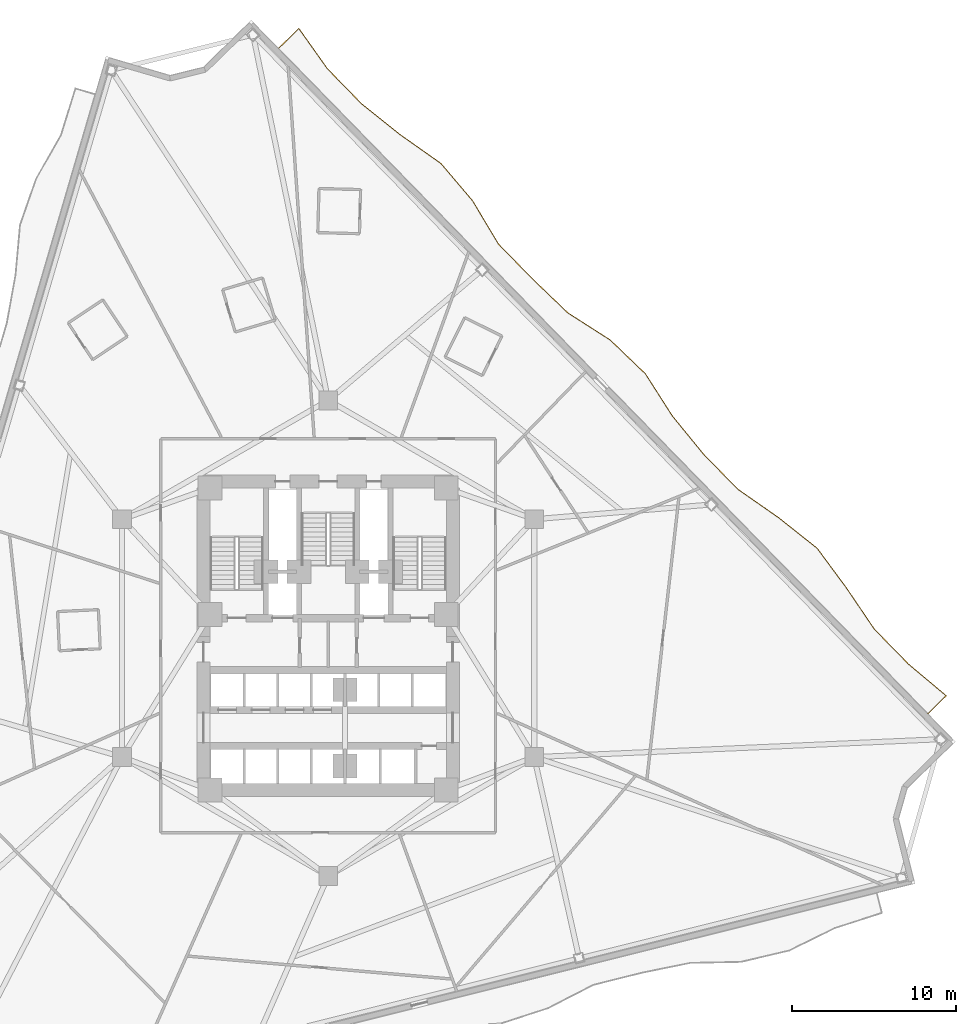
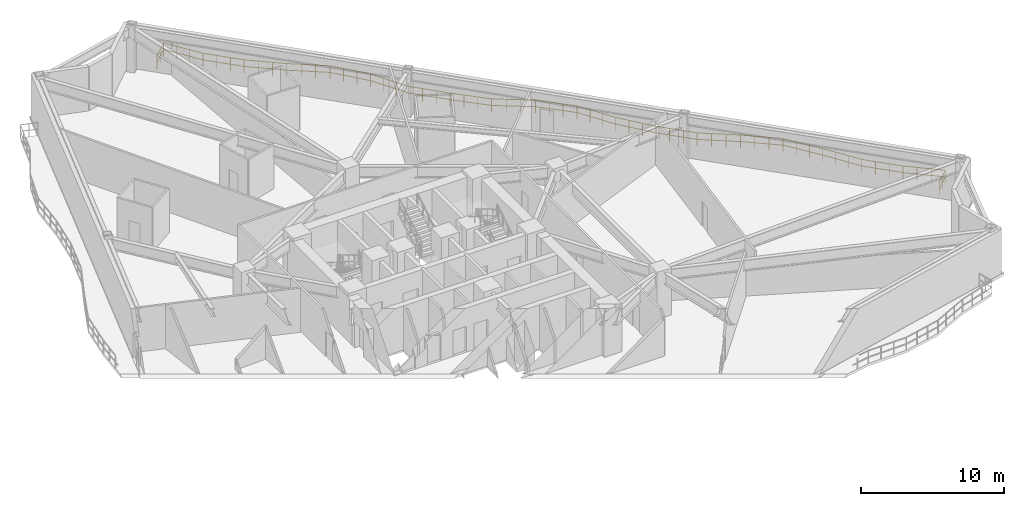
# One storey, part 10 of 10: 1 railing.
"""IFC4 building model written with IfcOpenShell, lengths in metres."""

from ifc_helpers import new_model, si_unit, direction, frame, origin, origin_2d, place, context, subcontext, project, spatial, rectangle, extrude, material, type_object, element, save


model = new_model("IFC4")

# Units and contexts
model_context = context("Model", 3, precision=1e-05, world=origin(), true_north=direction((0.0, 1.0)))
body_context = subcontext(model_context, "Body", "Model", "MODEL_VIEW")
ifc_project = project(units=[si_unit("LENGTHUNIT", "METRE"), si_unit("AREAUNIT", "SQUARE_METRE"), si_unit("VOLUMEUNIT", "CUBIC_METRE"), si_unit("PLANEANGLEUNIT", "RADIAN"), si_unit("MASSUNIT", "GRAM", prefix="KILO")], contexts=[model_context])

# Site, building, storey
site_placement = place(None, origin())
site = spatial("IfcSite", under=ifc_project, at=site_placement, CompositionType="ELEMENT")
building_placement = place(site_placement, origin())
building = spatial("IfcBuilding", under=site, at=building_placement, Name="Apsidion Concourse Tower", CompositionType="ELEMENT")
storey_placement = place(building_placement, frame((0.0, 0.0, 99.0)))
storey = spatial("IfcBuildingStorey", under=building, at=storey_placement, Name="L22", CompositionType="ELEMENT", Elevation=99.0)

# Railing
ifc_material = material(Name="Brushed stainless steel 316", Category="steel")
railing_type = type_object("IfcRailingType", Name="RL-BAL-1120", PredefinedType="BALUSTRADE", material=ifc_material)
railing_placement = place(storey_placement, frame((-3.018310546875, 35.96728515625, 0.0)))
element("IfcRailing", 1, at=railing_placement, inside=storey, type_object=railing_type, Name="L22 Face 3 Rippling Balcony Balustrade", PredefinedType="BALUSTRADE", context=body_context, shape_type="SweptSolid", body=[
    extrude(rectangle(XDim=0.048095703125, YDim=0.048095703125, at=origin_2d()), frame((0.0, 0.0, 1.09619140625), z_axis=(0.71564006925, 0.698469248631, 0.0), x_axis=(-0.698469248631, 0.71564006925, 0.0)), (0.0, 0.0, 1.0), 1.720458984375),
    extrude(rectangle(XDim=0.048095703125, YDim=0.048095703125, at=origin_2d()), frame((0.0, 0.0, 0.5361328125), z_axis=(0.71564006925, 0.698469248631, 0.0), x_axis=(-0.698469248631, 0.71564006925, 0.0)), (0.0, 0.0, 1.0), 1.720458984375),
    extrude(rectangle(XDim=0.048095703125, YDim=0.048095703125, at=origin_2d()), frame((1.231201171875, 1.20166015625, 1.09619140625), z_axis=(0.578481597133, -0.815695434448, 0.0), x_axis=(0.815695434448, 0.578481597133, 0.0)), (0.0, 0.0, 1.0), 3.019775390625),
    extrude(rectangle(XDim=0.048095703125, YDim=0.048095703125, at=origin_2d()), frame((1.231201171875, 1.20166015625, 0.5361328125), z_axis=(0.578481597133, -0.815695434448, 0.0), x_axis=(0.815695434448, 0.578481597133, 0.0)), (0.0, 0.0, 1.0), 3.019775390625),
    extrude(rectangle(XDim=0.048095703125, YDim=0.048095703125, at=origin_2d()), frame((2.97802734375, -1.261474609375, 1.09619140625), z_axis=(0.698460887015, -0.715648230145, 0.0), x_axis=(0.715648230145, 0.698460887015, 0.0)), (0.0, 0.0, 1.0), 2.98291015625),
    extrude(rectangle(XDim=0.048095703125, YDim=0.048095703125, at=origin_2d()), frame((2.97802734375, -1.261474609375, 0.5361328125), z_axis=(0.698460887015, -0.715648230145, 0.0), x_axis=(0.715648230145, 0.698460887015, 0.0)), (0.0, 0.0, 1.0), 2.98291015625),
    extrude(rectangle(XDim=0.048095703125, YDim=0.048095703125, at=origin_2d()), frame((5.0615234375, -3.396240234375, 1.09619140625), z_axis=(0.781169856736, -0.624318552446, 0.0), x_axis=(0.624318552446, 0.781169856736, 0.0)), (0.0, 0.0, 1.0), 3.005615234375),
    extrude(rectangle(XDim=0.048095703125, YDim=0.048095703125, at=origin_2d()), frame((5.0615234375, -3.396240234375, 0.5361328125), z_axis=(0.781169856736, -0.624318552446, 0.0), x_axis=(0.624318552446, 0.781169856736, 0.0)), (0.0, 0.0, 1.0), 3.005615234375),
    extrude(rectangle(XDim=0.048095703125, YDim=0.048095703125, at=origin_2d()), frame((7.409423828125, -5.272705078125, 1.09619140625), z_axis=(0.817204195929, -0.576348247291, 0.0), x_axis=(0.576348247291, 0.817204195929, 0.0)), (0.0, 0.0, 1.0), 3.033935546875),
    extrude(rectangle(XDim=0.048095703125, YDim=0.048095703125, at=origin_2d()), frame((7.409423828125, -5.272705078125, 0.5361328125), z_axis=(0.817204195929, -0.576348247291, 0.0), x_axis=(0.576348247291, 0.817204195929, 0.0)), (0.0, 0.0, 1.0), 3.033935546875),
    extrude(rectangle(XDim=0.048095703125, YDim=0.048095703125, at=origin_2d()), frame((9.888671875, -7.021240234375, 1.09619140625), z_axis=(0.647065195455, -0.762434674468, 0.0), x_axis=(0.762434674468, 0.647065195455, 0.0)), (0.0, 0.0, 1.0), 2.990234375),
    extrude(rectangle(XDim=0.048095703125, YDim=0.048095703125, at=origin_2d()), frame((9.888671875, -7.021240234375, 0.5361328125), z_axis=(0.647065195455, -0.762434674468, 0.0), x_axis=(0.762434674468, 0.647065195455, 0.0)), (0.0, 0.0, 1.0), 2.990234375),
    extrude(rectangle(XDim=0.048095703125, YDim=0.048095703125, at=origin_2d()), frame((11.823486328125, -9.301025390625, 1.09619140625), z_axis=(0.512574885503, -0.85864252559, 0.0), x_axis=(0.85864252559, 0.512574885503, 0.0)), (0.0, 0.0, 1.0), 3.0673828125),
    extrude(rectangle(XDim=0.048095703125, YDim=0.048095703125, at=origin_2d()), frame((11.823486328125, -9.301025390625, 0.5361328125), z_axis=(0.512574885503, -0.85864252559, 0.0), x_axis=(0.85864252559, 0.512574885503, 0.0)), (0.0, 0.0, 1.0), 3.0673828125),
    extrude(rectangle(XDim=0.048095703125, YDim=0.048095703125, at=origin_2d()), frame((13.395751953125, -11.934814453125, 1.09619140625), z_axis=(0.698460887015, -0.715648230145, 0.0), x_axis=(0.715648230145, 0.698460887015, 0.0)), (0.0, 0.0, 1.0), 2.98291015625),
    extrude(rectangle(XDim=0.048095703125, YDim=0.048095703125, at=origin_2d()), frame((13.395751953125, -11.934814453125, 0.5361328125), z_axis=(0.698460887015, -0.715648230145, 0.0), x_axis=(0.715648230145, 0.698460887015, 0.0)), (0.0, 0.0, 1.0), 2.98291015625),
    extrude(rectangle(XDim=0.048095703125, YDim=0.048095703125, at=origin_2d()), frame((15.479248046875, -14.069580078125, 1.09619140625), z_axis=(0.721197663154, -0.692729334345, 0.0), x_axis=(0.692729334345, 0.721197663154, 0.0)), (0.0, 0.0, 1.0), 2.984375),
    extrude(rectangle(XDim=0.048095703125, YDim=0.048095703125, at=origin_2d()), frame((15.479248046875, -14.069580078125, 0.5361328125), z_axis=(0.721197663154, -0.692729334345, 0.0), x_axis=(0.692729334345, 0.721197663154, 0.0)), (0.0, 0.0, 1.0), 2.984375),
    extrude(rectangle(XDim=0.048095703125, YDim=0.048095703125, at=origin_2d()), frame((17.631591796875, -16.136962890625, 1.09619140625), z_axis=(0.842375624014, -0.538890812751, 0.0), x_axis=(0.538890812751, 0.842375624014, 0.0)), (0.0, 0.0, 1.0), 3.0625),
    extrude(rectangle(XDim=0.048095703125, YDim=0.048095703125, at=origin_2d()), frame((17.631591796875, -16.136962890625, 0.5361328125), z_axis=(0.842375624014, -0.538890812751, 0.0), x_axis=(0.538890812751, 0.842375624014, 0.0)), (0.0, 0.0, 1.0), 3.0625),
    extrude(rectangle(XDim=0.048095703125, YDim=0.048095703125, at=origin_2d()), frame((20.21142578125, -17.787353515625, 1.09619140625), z_axis=(0.720917951702, -0.693020423158, 0.0), x_axis=(0.693020423158, 0.720917951702, 0.0)), (0.0, 0.0, 1.0), 2.984130859375),
    extrude(rectangle(XDim=0.048095703125, YDim=0.048095703125, at=origin_2d()), frame((20.21142578125, -17.787353515625, 0.5361328125), z_axis=(0.720917951702, -0.693020423158, 0.0), x_axis=(0.693020423158, 0.720917951702, 0.0)), (0.0, 0.0, 1.0), 2.984130859375),
    extrude(rectangle(XDim=0.048095703125, YDim=0.048095703125, at=origin_2d()), frame((22.36279296875, -19.85546875, 1.09619140625), z_axis=(0.538471467838, -0.84264374342, 0.0), x_axis=(0.84264374342, 0.538471467838, 0.0)), (0.0, 0.0, 1.0), 3.046875),
    extrude(rectangle(XDim=0.048095703125, YDim=0.048095703125, at=origin_2d()), frame((22.36279296875, -19.85546875, 0.5361328125), z_axis=(0.538471467838, -0.84264374342, 0.0), x_axis=(0.84264374342, 0.538471467838, 0.0)), (0.0, 0.0, 1.0), 3.046875),
    extrude(rectangle(XDim=0.048095703125, YDim=0.048095703125, at=origin_2d()), frame((24.00341796875, -22.4228515625, 1.09619140625), z_axis=(0.632389469436, -0.774650604432, 0.0), x_axis=(0.774650604432, 0.632389469436, 0.0)), (0.0, 0.0, 1.0), 2.99462890625),
    extrude(rectangle(XDim=0.048095703125, YDim=0.048095703125, at=origin_2d()), frame((24.00341796875, -22.4228515625, 0.5361328125), z_axis=(0.632389469436, -0.774650604432, 0.0), x_axis=(0.774650604432, 0.632389469436, 0.0)), (0.0, 0.0, 1.0), 2.99462890625),
    extrude(rectangle(XDim=0.048095703125, YDim=0.048095703125, at=origin_2d()), frame((25.897216796875, -24.74267578125, 1.09619140625), z_axis=(0.698501798427, -0.715608298998, 0.0), x_axis=(0.715608298998, 0.698501798427, 0.0)), (0.0, 0.0, 1.0), 2.98291015625),
    extrude(rectangle(XDim=0.048095703125, YDim=0.048095703125, at=origin_2d()), frame((25.897216796875, -24.74267578125, 0.5361328125), z_axis=(0.698501798427, -0.715608298998, 0.0), x_axis=(0.715608298998, 0.698501798427, 0.0)), (0.0, 0.0, 1.0), 2.98291015625),
    extrude(rectangle(XDim=0.048095703125, YDim=0.048095703125, at=origin_2d()), frame((27.980712890625, -26.877197265625, 1.09619140625), z_axis=(0.820126076927, -0.572182853592, 0.0), x_axis=(0.572182853592, 0.820126076927, 0.0)), (0.0, 0.0, 1.0), 3.03662109375),
    extrude(rectangle(XDim=0.048095703125, YDim=0.048095703125, at=origin_2d()), frame((27.980712890625, -26.877197265625, 0.5361328125), z_axis=(0.820126076927, -0.572182853592, 0.0), x_axis=(0.572182853592, 0.820126076927, 0.0)), (0.0, 0.0, 1.0), 3.03662109375),
    extrude(rectangle(XDim=0.048095703125, YDim=0.048095703125, at=origin_2d()), frame((30.47119140625, -28.61474609375, 1.09619140625), z_axis=(0.7835467451, -0.621332840146, 0.0), x_axis=(0.621332840146, 0.7835467451, 0.0)), (0.0, 0.0, 1.0), 3.007080078125),
    extrude(rectangle(XDim=0.048095703125, YDim=0.048095703125, at=origin_2d()), frame((30.47119140625, -28.61474609375, 0.5361328125), z_axis=(0.7835467451, -0.621332840146, 0.0), x_axis=(0.621332840146, 0.7835467451, 0.0)), (0.0, 0.0, 1.0), 3.007080078125),
    extrude(rectangle(XDim=0.048095703125, YDim=0.048095703125, at=origin_2d()), frame((32.827392578125, -30.483154296875, 1.09619140625), z_axis=(0.593677349591, -0.804703177938, 0.0), x_axis=(0.804703177938, 0.593677349591, 0.0)), (0.0, 0.0, 1.0), 3.011474609375),
    extrude(rectangle(XDim=0.048095703125, YDim=0.048095703125, at=origin_2d()), frame((32.827392578125, -30.483154296875, 0.5361328125), z_axis=(0.593677349591, -0.804703177938, 0.0), x_axis=(0.804703177938, 0.593677349591, 0.0)), (0.0, 0.0, 1.0), 3.011474609375),
    extrude(rectangle(XDim=0.048095703125, YDim=0.048095703125, at=origin_2d()), frame((34.615234375, -32.906494140625, 1.09619140625), z_axis=(0.56076442401, -0.827975398647, 0.0), x_axis=(0.827975398647, 0.56076442401, 0.0)), (0.0, 0.0, 1.0), 3.030517578125),
    extrude(rectangle(XDim=0.048095703125, YDim=0.048095703125, at=origin_2d()), frame((34.615234375, -32.906494140625, 0.5361328125), z_axis=(0.56076442401, -0.827975398647, 0.0), x_axis=(0.827975398647, 0.56076442401, 0.0)), (0.0, 0.0, 1.0), 3.030517578125),
    extrude(rectangle(XDim=0.048095703125, YDim=0.048095703125, at=origin_2d()), frame((36.314697265625, -35.415771484375, 1.09619140625), z_axis=(0.698502800273, -0.7156073211, 0.0), x_axis=(0.7156073211, 0.698502800273, 0.0)), (0.0, 0.0, 1.0), 2.983154296875),
    extrude(rectangle(XDim=0.048095703125, YDim=0.048095703125, at=origin_2d()), frame((36.314697265625, -35.415771484375, 0.5361328125), z_axis=(0.698502800273, -0.7156073211, 0.0), x_axis=(0.7156073211, 0.698502800273, 0.0)), (0.0, 0.0, 1.0), 2.983154296875),
    extrude(rectangle(XDim=0.048095703125, YDim=0.048095703125, at=origin_2d()), frame((38.3984375, -37.550537109375, 1.09619140625), z_axis=(0.766583321692, -0.642144851964, 0.0), x_axis=(0.642144851964, 0.766583321692, 0.0)), (0.0, 0.0, 1.0), 2.997802734375),
    extrude(rectangle(XDim=0.048095703125, YDim=0.048095703125, at=origin_2d()), frame((38.3984375, -37.550537109375, 0.5361328125), z_axis=(0.766583321692, -0.642144851964, 0.0), x_axis=(0.642144851964, 0.766583321692, 0.0)), (0.0, 0.0, 1.0), 2.997802734375),
    extrude(rectangle(XDim=0.048095703125, YDim=0.048095703125, at=origin_2d()), frame((40.696533203125, -39.4755859375, 1.09619140625), z_axis=(-0.715561083857, -0.698550166609, 0.0), x_axis=(0.698550166609, -0.715561083857, 0.0)), (0.0, 0.0, 1.0), 1.550048828125),
    extrude(rectangle(XDim=0.048095703125, YDim=0.048095703125, at=origin_2d()), frame((40.696533203125, -39.4755859375, 0.5361328125), z_axis=(-0.715561083857, -0.698550166609, 0.0), x_axis=(0.698550166609, -0.715561083857, 0.0)), (0.0, 0.0, 1.0), 1.550048828125),
    extrude(rectangle(XDim=0.0419921875, YDim=0.0419921875, at=origin_2d()), origin(), (0.0, 0.0, 1.0), 1.072021484375),
    extrude(rectangle(XDim=0.0419921875, YDim=0.0419921875, at=origin_2d()), frame((0.61572265625, 0.600830078125, 0.0)), (0.0, 0.0, 1.0), 1.072021484375),
    extrude(rectangle(XDim=0.0419921875, YDim=0.0419921875, at=origin_2d()), frame((1.231201171875, 1.20166015625, 0.0)), (0.0, 0.0, 1.0), 1.072021484375),
    extrude(rectangle(XDim=0.0419921875, YDim=0.0419921875, at=origin_2d()), frame((1.8134765625, 0.380615234375, 0.0)), (0.0, 0.0, 1.0), 1.072021484375),
    extrude(rectangle(XDim=0.0419921875, YDim=0.0419921875, at=origin_2d()), frame((2.395751953125, -0.4404296875, 0.0)), (0.0, 0.0, 1.0), 1.072021484375),
    extrude(rectangle(XDim=0.0419921875, YDim=0.0419921875, at=origin_2d()), frame((2.97802734375, -1.261474609375, 0.0)), (0.0, 0.0, 1.0), 1.072021484375),
    extrude(rectangle(XDim=0.0419921875, YDim=0.0419921875, at=origin_2d()), frame((3.672607421875, -1.97314453125, 0.0)), (0.0, 0.0, 1.0), 1.072021484375),
    extrude(rectangle(XDim=0.0419921875, YDim=0.0419921875, at=origin_2d()), frame((4.366943359375, -2.6845703125, 0.0)), (0.0, 0.0, 1.0), 1.072021484375),
    extrude(rectangle(XDim=0.0419921875, YDim=0.0419921875, at=origin_2d()), frame((5.0615234375, -3.396240234375, 0.0)), (0.0, 0.0, 1.0), 1.072021484375),
    extrude(rectangle(XDim=0.0419921875, YDim=0.0419921875, at=origin_2d()), frame((5.84423828125, -4.021728515625, 0.0)), (0.0, 0.0, 1.0), 1.072021484375),
    extrude(rectangle(XDim=0.0419921875, YDim=0.0419921875, at=origin_2d()), frame((6.626708984375, -4.647216796875, 0.0)), (0.0, 0.0, 1.0), 1.072021484375),
    extrude(rectangle(XDim=0.0419921875, YDim=0.0419921875, at=origin_2d()), frame((7.409423828125, -5.272705078125, 0.0)), (0.0, 0.0, 1.0), 1.072021484375),
    extrude(rectangle(XDim=0.0419921875, YDim=0.0419921875, at=origin_2d()), frame((8.23583984375, -5.85546875, 0.0)), (0.0, 0.0, 1.0), 1.072021484375),
    extrude(rectangle(XDim=0.0419921875, YDim=0.0419921875, at=origin_2d()), frame((9.062255859375, -6.4384765625, 0.0)), (0.0, 0.0, 1.0), 1.072021484375),
    extrude(rectangle(XDim=0.0419921875, YDim=0.0419921875, at=origin_2d()), frame((9.888671875, -7.021240234375, 0.0)), (0.0, 0.0, 1.0), 1.072021484375),
    extrude(rectangle(XDim=0.0419921875, YDim=0.0419921875, at=origin_2d()), frame((10.53369140625, -7.78125, 0.0)), (0.0, 0.0, 1.0), 1.072021484375),
    extrude(rectangle(XDim=0.0419921875, YDim=0.0419921875, at=origin_2d()), frame((11.178466796875, -8.541015625, 0.0)), (0.0, 0.0, 1.0), 1.072021484375),
    extrude(rectangle(XDim=0.0419921875, YDim=0.0419921875, at=origin_2d()), frame((11.823486328125, -9.301025390625, 0.0)), (0.0, 0.0, 1.0), 1.072021484375),
    extrude(rectangle(XDim=0.0419921875, YDim=0.0419921875, at=origin_2d()), frame((12.34765625, -10.178955078125, 0.0)), (0.0, 0.0, 1.0), 1.072021484375),
    extrude(rectangle(XDim=0.0419921875, YDim=0.0419921875, at=origin_2d()), frame((12.87158203125, -11.056884765625, 0.0)), (0.0, 0.0, 1.0), 1.072021484375),
    extrude(rectangle(XDim=0.0419921875, YDim=0.0419921875, at=origin_2d()), frame((13.395751953125, -11.934814453125, 0.0)), (0.0, 0.0, 1.0), 1.072021484375),
    extrude(rectangle(XDim=0.0419921875, YDim=0.0419921875, at=origin_2d()), frame((14.09033203125, -12.646484375, 0.0)), (0.0, 0.0, 1.0), 1.072021484375),
    extrude(rectangle(XDim=0.0419921875, YDim=0.0419921875, at=origin_2d()), frame((14.78466796875, -13.35791015625, 0.0)), (0.0, 0.0, 1.0), 1.072021484375),
    extrude(rectangle(XDim=0.0419921875, YDim=0.0419921875, at=origin_2d()), frame((15.479248046875, -14.069580078125, 0.0)), (0.0, 0.0, 1.0), 1.072021484375),
    extrude(rectangle(XDim=0.0419921875, YDim=0.0419921875, at=origin_2d()), frame((16.19677734375, -14.7587890625, 0.0)), (0.0, 0.0, 1.0), 1.072021484375),
    extrude(rectangle(XDim=0.0419921875, YDim=0.0419921875, at=origin_2d()), frame((16.9140625, -15.44775390625, 0.0)), (0.0, 0.0, 1.0), 1.072021484375),
    extrude(rectangle(XDim=0.0419921875, YDim=0.0419921875, at=origin_2d()), frame((17.631591796875, -16.136962890625, 0.0)), (0.0, 0.0, 1.0), 1.072021484375),
    extrude(rectangle(XDim=0.0419921875, YDim=0.0419921875, at=origin_2d()), frame((18.491455078125, -16.68701171875, 0.0)), (0.0, 0.0, 1.0), 1.072021484375),
    extrude(rectangle(XDim=0.0419921875, YDim=0.0419921875, at=origin_2d()), frame((19.3515625, -17.2373046875, 0.0)), (0.0, 0.0, 1.0), 1.072021484375),
    extrude(rectangle(XDim=0.0419921875, YDim=0.0419921875, at=origin_2d()), frame((20.21142578125, -17.787353515625, 0.0)), (0.0, 0.0, 1.0), 1.072021484375),
    extrude(rectangle(XDim=0.0419921875, YDim=0.0419921875, at=origin_2d()), frame((20.928466796875, -18.476806640625, 0.0)), (0.0, 0.0, 1.0), 1.072021484375),
    extrude(rectangle(XDim=0.0419921875, YDim=0.0419921875, at=origin_2d()), frame((21.645751953125, -19.166015625, 0.0)), (0.0, 0.0, 1.0), 1.072021484375),
    extrude(rectangle(XDim=0.0419921875, YDim=0.0419921875, at=origin_2d()), frame((22.36279296875, -19.85546875, 0.0)), (0.0, 0.0, 1.0), 1.072021484375),
    extrude(rectangle(XDim=0.0419921875, YDim=0.0419921875, at=origin_2d()), frame((22.90966796875, -20.711181640625, 0.0)), (0.0, 0.0, 1.0), 1.072021484375),
    extrude(rectangle(XDim=0.0419921875, YDim=0.0419921875, at=origin_2d()), frame((23.45654296875, -21.567138671875, 0.0)), (0.0, 0.0, 1.0), 1.072021484375),
    extrude(rectangle(XDim=0.0419921875, YDim=0.0419921875, at=origin_2d()), frame((24.00341796875, -22.4228515625, 0.0)), (0.0, 0.0, 1.0), 1.072021484375),
    extrude(rectangle(XDim=0.0419921875, YDim=0.0419921875, at=origin_2d()), frame((24.634765625, -23.196044921875, 0.0)), (0.0, 0.0, 1.0), 1.072021484375),
    extrude(rectangle(XDim=0.0419921875, YDim=0.0419921875, at=origin_2d()), frame((25.265869140625, -23.969482421875, 0.0)), (0.0, 0.0, 1.0), 1.072021484375),
    extrude(rectangle(XDim=0.0419921875, YDim=0.0419921875, at=origin_2d()), frame((25.897216796875, -24.74267578125, 0.0)), (0.0, 0.0, 1.0), 1.072021484375),
    extrude(rectangle(XDim=0.0419921875, YDim=0.0419921875, at=origin_2d()), frame((26.591796875, -25.4541015625, 0.0)), (0.0, 0.0, 1.0), 1.072021484375),
    extrude(rectangle(XDim=0.0419921875, YDim=0.0419921875, at=origin_2d()), frame((27.2861328125, -26.165771484375, 0.0)), (0.0, 0.0, 1.0), 1.072021484375),
    extrude(rectangle(XDim=0.0419921875, YDim=0.0419921875, at=origin_2d()), frame((27.980712890625, -26.877197265625, 0.0)), (0.0, 0.0, 1.0), 1.072021484375),
    extrude(rectangle(XDim=0.0419921875, YDim=0.0419921875, at=origin_2d()), frame((28.810791015625, -27.456298828125, 0.0)), (0.0, 0.0, 1.0), 1.072021484375),
    extrude(rectangle(XDim=0.0419921875, YDim=0.0419921875, at=origin_2d()), frame((29.64111328125, -28.03564453125, 0.0)), (0.0, 0.0, 1.0), 1.072021484375),
    extrude(rectangle(XDim=0.0419921875, YDim=0.0419921875, at=origin_2d()), frame((30.47119140625, -28.61474609375, 0.0)), (0.0, 0.0, 1.0), 1.072021484375),
    extrude(rectangle(XDim=0.0419921875, YDim=0.0419921875, at=origin_2d()), frame((31.256591796875, -29.237548828125, 0.0)), (0.0, 0.0, 1.0), 1.072021484375),
    extrude(rectangle(XDim=0.0419921875, YDim=0.0419921875, at=origin_2d()), frame((32.0419921875, -29.8603515625, 0.0)), (0.0, 0.0, 1.0), 1.072021484375),
    extrude(rectangle(XDim=0.0419921875, YDim=0.0419921875, at=origin_2d()), frame((32.827392578125, -30.483154296875, 0.0)), (0.0, 0.0, 1.0), 1.072021484375),
    extrude(rectangle(XDim=0.0419921875, YDim=0.0419921875, at=origin_2d()), frame((33.42333984375, -31.291015625, 0.0)), (0.0, 0.0, 1.0), 1.072021484375),
    extrude(rectangle(XDim=0.0419921875, YDim=0.0419921875, at=origin_2d()), frame((34.019287109375, -32.0986328125, 0.0)), (0.0, 0.0, 1.0), 1.072021484375),
    extrude(rectangle(XDim=0.0419921875, YDim=0.0419921875, at=origin_2d()), frame((34.615234375, -32.906494140625, 0.0)), (0.0, 0.0, 1.0), 1.072021484375),
    extrude(rectangle(XDim=0.0419921875, YDim=0.0419921875, at=origin_2d()), frame((35.181640625, -33.742919921875, 0.0)), (0.0, 0.0, 1.0), 1.072021484375),
    extrude(rectangle(XDim=0.0419921875, YDim=0.0419921875, at=origin_2d()), frame((35.748291015625, -34.579345703125, 0.0)), (0.0, 0.0, 1.0), 1.072021484375),
    extrude(rectangle(XDim=0.0419921875, YDim=0.0419921875, at=origin_2d()), frame((36.314697265625, -35.415771484375, 0.0)), (0.0, 0.0, 1.0), 1.072021484375),
    extrude(rectangle(XDim=0.0419921875, YDim=0.0419921875, at=origin_2d()), frame((37.00927734375, -36.12744140625, 0.0)), (0.0, 0.0, 1.0), 1.072021484375),
    extrude(rectangle(XDim=0.0419921875, YDim=0.0419921875, at=origin_2d()), frame((37.703857421875, -36.8388671875, 0.0)), (0.0, 0.0, 1.0), 1.072021484375),
    extrude(rectangle(XDim=0.0419921875, YDim=0.0419921875, at=origin_2d()), frame((38.3984375, -37.550537109375, 0.0)), (0.0, 0.0, 1.0), 1.072021484375),
    extrude(rectangle(XDim=0.0419921875, YDim=0.0419921875, at=origin_2d()), frame((39.16455078125, -38.192138671875, 0.0)), (0.0, 0.0, 1.0), 1.072021484375),
    extrude(rectangle(XDim=0.0419921875, YDim=0.0419921875, at=origin_2d()), frame((39.930419921875, -38.833984375, 0.0)), (0.0, 0.0, 1.0), 1.072021484375),
    extrude(rectangle(XDim=0.0419921875, YDim=0.0419921875, at=origin_2d()), frame((40.696533203125, -39.4755859375, 0.0)), (0.0, 0.0, 1.0), 1.072021484375),
    extrude(rectangle(XDim=0.0419921875, YDim=0.0419921875, at=origin_2d()), frame((40.14208984375, -40.01708984375, 0.0)), (0.0, 0.0, 1.0), 1.072021484375),
    extrude(rectangle(XDim=0.0419921875, YDim=0.0419921875, at=origin_2d()), frame((39.58740234375, -40.558349609375, 0.0)), (0.0, 0.0, 1.0), 1.072021484375),
])

save(model, "model.ifc")
